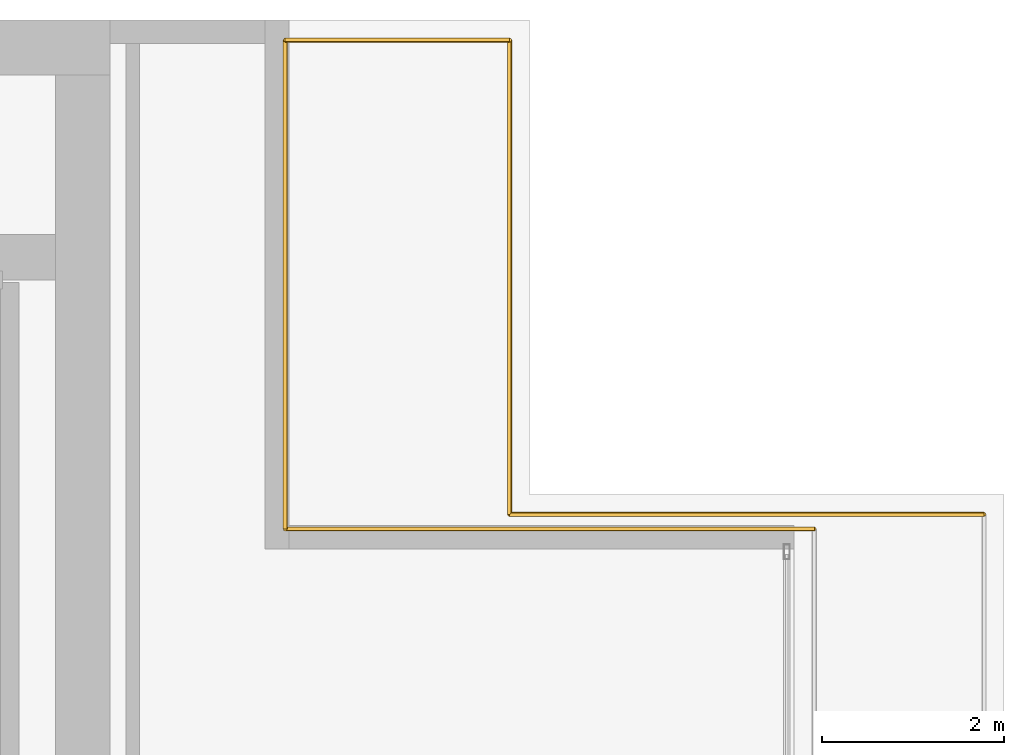
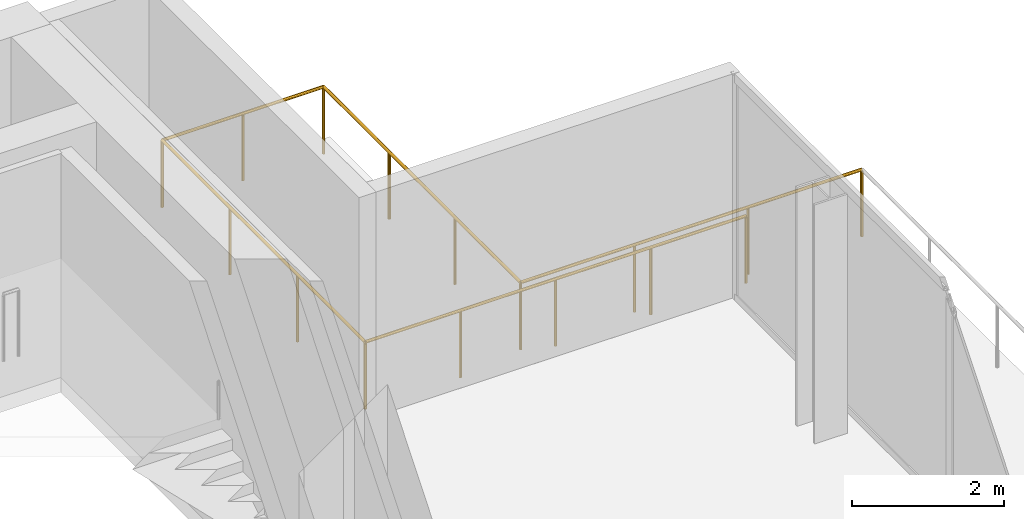
# One storey, part 21 of 21: 5 railings.
"""IFC4 building model written with IfcOpenShell, lengths in metres."""

from ifc_helpers import new_model, si_unit, direction, frame, origin, origin_2d, place, context, subcontext, project, spatial, circle, extrude, material, type_object, element, save


model = new_model("IFC4")

# Units and contexts
model_context = context("Model", 3, precision=1e-05, world=origin(), true_north=direction((0.0, 1.0)))
body_context = subcontext(model_context, "Body", "Model", "MODEL_VIEW")
ifc_project = project(units=[si_unit("LENGTHUNIT", "METRE"), si_unit("AREAUNIT", "SQUARE_METRE"), si_unit("VOLUMEUNIT", "CUBIC_METRE"), si_unit("PLANEANGLEUNIT", "RADIAN"), si_unit("MASSUNIT", "GRAM", prefix="KILO")], contexts=[model_context])

# Site, building, storey
site_placement = place(None, origin())
site = spatial("IfcSite", under=ifc_project, at=site_placement, CompositionType="ELEMENT")
building_placement = place(site_placement, origin())
building = spatial("IfcBuilding", under=site, at=building_placement, Name="Maruvema Waterfront Hotel and Observation Tower", CompositionType="ELEMENT")
storey_placement = place(building_placement, frame((0.0, 0.0, 322.0)))
storey = spatial("IfcBuildingStorey", under=building, at=storey_placement, Name="L79", CompositionType="ELEMENT", Elevation=322.0)

# Railings
ifc_material = material(Name="Brushed stainless steel Grade 316", Category="steel")
railing_type = type_object("IfcRailingType", Name="Ramp and Terrace Guard Balustrade 1100 mm", PredefinedType="BALUSTRADE", material=ifc_material)
railing_1_placement = place(storey_placement, frame((54.780029296875, 53.780029296875, 0.0)))
element("IfcRailing", 1, at=railing_1_placement, inside=storey, type_object=railing_type, Name="L79 Perimeter Safety Balustrade 1", PredefinedType="BALUSTRADE", context=body_context, shape_type="SweptSolid", body=[
    extrude(circle(Radius=0.02392578125, at=origin_2d()), frame((0.0, 0.0, 1.076171875), z_axis=(0.0, -1.0, 0.0), x_axis=(1.0, 0.0, 0.0)), (0.0, 0.0, 1.0), 5.199951171875),
    extrude(circle(Radius=0.02099609375, at=origin_2d()), origin(), (0.0, 0.0, 1.0), 1.052001953125),
    extrude(circle(Radius=0.02099609375, at=origin_2d()), frame((0.0, -1.7333984375, 0.0)), (0.0, 0.0, 1.0), 1.052001953125),
    extrude(circle(Radius=0.02099609375, at=origin_2d()), frame((0.0, -3.466552734375, 0.0)), (0.0, 0.0, 1.0), 1.052001953125),
    extrude(circle(Radius=0.02099609375, at=origin_2d()), frame((0.0, -5.199951171875, 0.0)), (0.0, 0.0, 1.0), 1.052001953125),
])
railing_2_placement = place(storey_placement, frame((54.780029296875, 48.580078125, 0.0)))
element("IfcRailing", 2, at=railing_2_placement, inside=storey, type_object=railing_type, Name="L79 Perimeter Safety Balustrade 2", PredefinedType="BALUSTRADE", context=body_context, shape_type="SweptSolid", body=[
    extrude(circle(Radius=0.02392578125, at=origin_2d()), frame((0.0, 0.0, 1.076171875), z_axis=(1.0, 0.0, 0.0), x_axis=(0.0, 1.0, 0.0)), (0.0, 0.0, 1.0), 5.199951171875),
    extrude(circle(Radius=0.02099609375, at=origin_2d()), origin(), (0.0, 0.0, 1.0), 1.052001953125),
    extrude(circle(Radius=0.02099609375, at=origin_2d()), frame((1.7333984375, 0.0, 0.0)), (0.0, 0.0, 1.0), 1.052001953125),
    extrude(circle(Radius=0.02099609375, at=origin_2d()), frame((3.466552734375, 0.0, 0.0)), (0.0, 0.0, 1.0), 1.052001953125),
    extrude(circle(Radius=0.02099609375, at=origin_2d()), frame((5.199951171875, 0.0, 0.0)), (0.0, 0.0, 1.0), 1.052001953125),
])
railing_3_placement = place(storey_placement, frame((58.1201171875, 48.419921875, 0.0)))
element("IfcRailing", 3, at=railing_3_placement, inside=storey, type_object=railing_type, Name="L79 Perimeter Safety Balustrade 22", PredefinedType="BALUSTRADE", context=body_context, shape_type="SweptSolid", body=[
    extrude(circle(Radius=0.02392578125, at=origin_2d()), frame((0.0, 0.0, 1.076171875), z_axis=(-1.0, 0.0, 0.0), x_axis=(0.0, -1.0, 0.0)), (0.0, 0.0, 1.0), 5.800048828125),
    extrude(circle(Radius=0.02099609375, at=origin_2d()), origin(), (0.0, 0.0, 1.0), 1.052001953125),
    extrude(circle(Radius=0.02099609375, at=origin_2d()), frame((-1.449951171875, 0.0, 0.0)), (0.0, 0.0, 1.0), 1.052001953125),
    extrude(circle(Radius=0.02099609375, at=origin_2d()), frame((-2.89990234375, 0.0, 0.0)), (0.0, 0.0, 1.0), 1.052001953125),
    extrude(circle(Radius=0.02099609375, at=origin_2d()), frame((-4.35009765625, 0.0, 0.0)), (0.0, 0.0, 1.0), 1.052001953125),
    extrude(circle(Radius=0.02099609375, at=origin_2d()), frame((-5.800048828125, 0.0, 0.0)), (0.0, 0.0, 1.0), 1.052001953125),
])
railing_4_placement = place(storey_placement, frame((52.320068359375, 48.419921875, 0.0)))
element("IfcRailing", 4, at=railing_4_placement, inside=storey, type_object=railing_type, Name="L79 Perimeter Safety Balustrade 23", PredefinedType="BALUSTRADE", context=body_context, shape_type="SweptSolid", body=[
    extrude(circle(Radius=0.02392578125, at=origin_2d()), frame((0.0, 0.0, 1.076171875), z_axis=(0.0, 1.0, 0.0), x_axis=(-1.0, 0.0, 0.0)), (0.0, 0.0, 1.0), 5.360107421875),
    extrude(circle(Radius=0.02099609375, at=origin_2d()), origin(), (0.0, 0.0, 1.0), 1.052001953125),
    extrude(circle(Radius=0.02099609375, at=origin_2d()), frame((0.0, 1.78662109375, 0.0)), (0.0, 0.0, 1.0), 1.052001953125),
    extrude(circle(Radius=0.02099609375, at=origin_2d()), frame((0.0, 3.573486328125, 0.0)), (0.0, 0.0, 1.0), 1.052001953125),
    extrude(circle(Radius=0.02099609375, at=origin_2d()), frame((0.0, 5.360107421875, 0.0)), (0.0, 0.0, 1.0), 1.052001953125),
])
railing_5_placement = place(storey_placement, frame((52.320068359375, 53.780029296875, 0.0)))
element("IfcRailing", 5, at=railing_5_placement, inside=storey, type_object=railing_type, Name="L79 Perimeter Safety Balustrade 24", PredefinedType="BALUSTRADE", context=body_context, shape_type="SweptSolid", body=[
    extrude(circle(Radius=0.02392578125, at=origin_2d()), frame((0.0, 0.0, 1.076171875), z_axis=(1.0, 0.0, 0.0), x_axis=(0.0, 1.0, 0.0)), (0.0, 0.0, 1.0), 2.4599609375),
    extrude(circle(Radius=0.02099609375, at=origin_2d()), origin(), (0.0, 0.0, 1.0), 1.052001953125),
    extrude(circle(Radius=0.02099609375, at=origin_2d()), frame((1.22998046875, 0.0, 0.0)), (0.0, 0.0, 1.0), 1.052001953125),
    extrude(circle(Radius=0.02099609375, at=origin_2d()), frame((2.4599609375, 0.0, 0.0)), (0.0, 0.0, 1.0), 1.052001953125),
])

save(model, "model.ifc")
